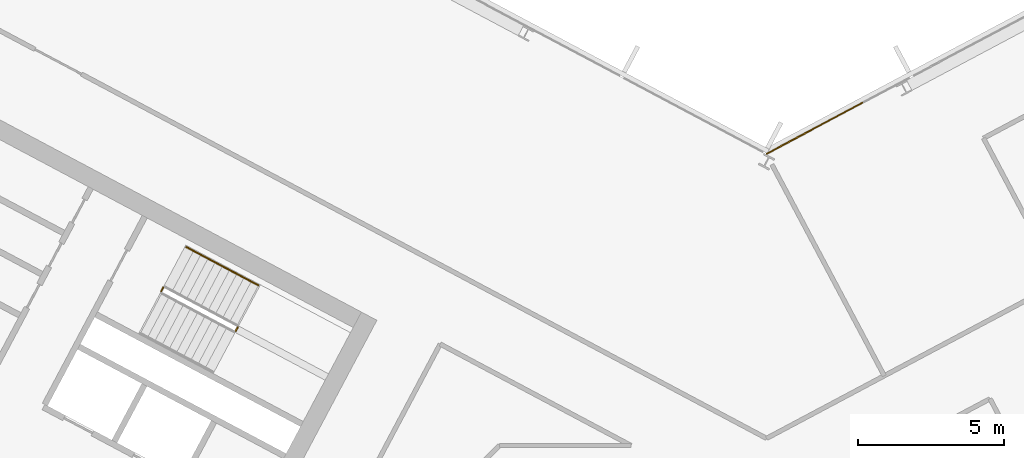
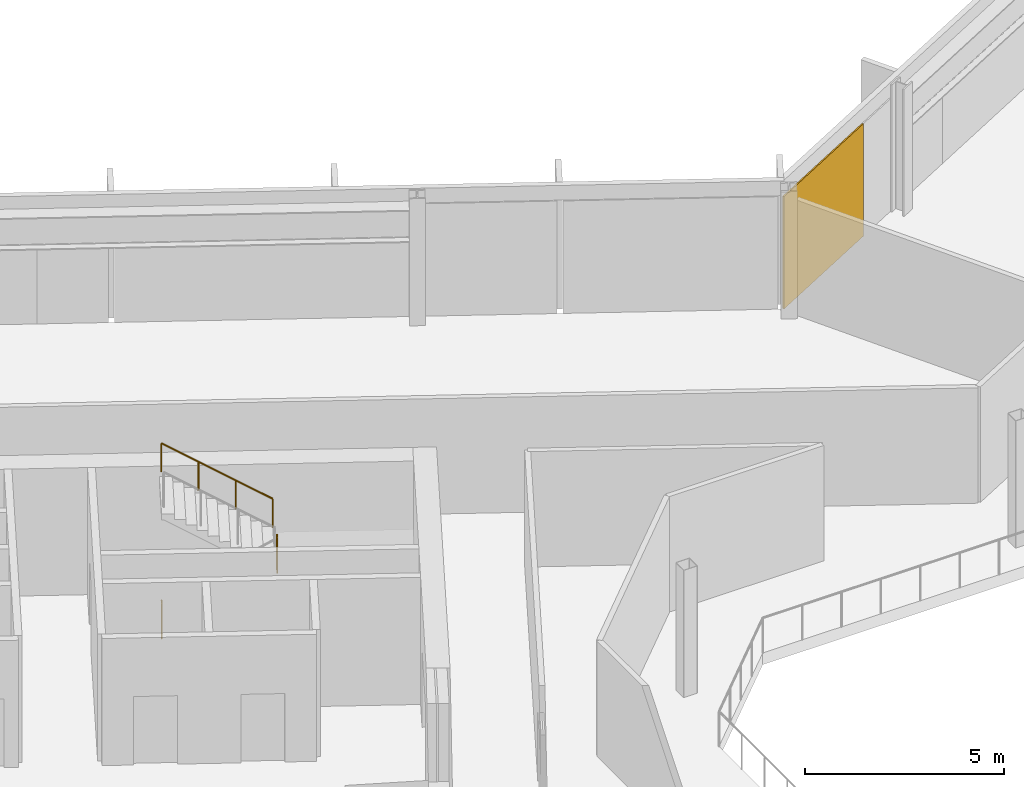
# One storey, part 22 of 26: 3 railings, 1 covering, 1 element without a shape of its own.
"""IFC4 building model written with IfcOpenShell, lengths in metres."""

from ifc_helpers import new_model, si_unit, direction, frame, origin, origin_2d, place, context, subcontext, project, spatial, polyline, rectangle, outline, extrude, material, layer, layer_set, type_object, element, aggregate, save


model = new_model("IFC4")

# Units and contexts
model_context = context("Model", 3, precision=1e-05, world=origin(), true_north=direction((0.0, 1.0)))
body_context = subcontext(model_context, "Body", "Model", "MODEL_VIEW")
ifc_project = project(units=[si_unit("LENGTHUNIT", "METRE"), si_unit("AREAUNIT", "SQUARE_METRE"), si_unit("VOLUMEUNIT", "CUBIC_METRE"), si_unit("PLANEANGLEUNIT", "RADIAN"), si_unit("MASSUNIT", "GRAM", prefix="KILO")], contexts=[model_context])

# Site, building, storey
site_placement = place(None, origin())
site = spatial("IfcSite", under=ifc_project, at=site_placement, CompositionType="ELEMENT")
building_placement = place(site_placement, origin())
building = spatial("IfcBuilding", under=site, at=building_placement, Name="Cormorant Relay Tower", CompositionType="ELEMENT")
storey_placement = place(building_placement, frame((0.0, 0.0, 197.39990234375)))
storey = spatial("IfcBuildingStorey", under=building, at=storey_placement, Name="L42", CompositionType="ELEMENT", Elevation=197.39990234375)

# Curtain wall, covering
ifc_material_1 = material(Name="Aluminium 6063-T6 anodised bronze", Category="aluminium")
ifc_layer_1 = layer(ifc_material_1, 0.199951171875)
ifc_layer_set_1 = layer_set([ifc_layer_1], Name="CW1 unitised bronze curtain wall with vertical fins")
curtain_wall_type = type_object("IfcCurtainWallType", Name="CW1 unitised bronze curtain wall with vertical fins", PredefinedType="NOTDEFINED", material=ifc_layer_set_1)
curtain_wall_placement = place(storey_placement, origin())
curtain_wall = element("IfcCurtainWall", 1, at=curtain_wall_placement, inside=storey, type_object=curtain_wall_type, Name="CW1 curtain wall 8", PredefinedType="NOTDEFINED")
ifc_material_2 = material(Name="Pale bronze anodised aluminium insulated panel", Category="aluminium")
ifc_layer_2 = layer(ifc_material_2, 0.0400390625)
ifc_layer_set_2 = layer_set([ifc_layer_2], Name="CW1 pale bronze insulated panel 40")
covering_type = type_object("IfcCoveringType", Name="CW1 pale bronze insulated panel 40", PredefinedType="CLADDING", material=ifc_layer_set_2)
covering_placement = place(storey_placement, frame((1.65234375, 24.685302734375, 0.0), z_axis=(0.0, 0.0, 1.0), x_axis=(-0.882947592859, -0.469471562786, 0.0)))
covering = element("IfcCovering", 2, at=covering_placement, type_object=covering_type, Name="CW1 panel S08", PredefinedType="CLADDING", context=body_context, shape_type="SweptSolid", body=[
    extrude(rectangle(XDim=3.763916015625, YDim=0.0400390625, at=origin_2d()), origin(), (0.0, 0.0, 1.0), 3.449951171875),
])
aggregate(curtain_wall, [covering])

# Railings
ifc_material_3 = material(Name="Steel ASTM A572 Grade 50 (Fy 345 MPa)", Category="steel")
railing_type_1 = type_object("IfcRailingType", Name="Stair guard 1100", PredefinedType="GUARDRAIL", material=ifc_material_3)
railing_1_placement = place(storey_placement, frame((-18.210693359375, 17.72412109375, 1.9501953125)))
element("IfcRailing", 3, at=railing_1_placement, inside=storey, type_object=railing_type_1, Name="L42 A1 stair guard 2", PredefinedType="GUARDRAIL", context=body_context, shape_type="SweptSolid", body=[
    extrude(outline(polyline([(0.022216796875, 0.00927734375), (0.00927734375, 0.022216796875), (-0.00927734375, 0.022216796875), (-0.022216796875, 0.00927734375), (-0.022216796875, -0.00927734375), (-0.00927734375, -0.022216796875), (0.00927734375, -0.022216796875), (0.022216796875, -0.00927734375), (0.022216796875, 0.00927734375)])), frame((0.0, 0.0, 1.076171875), z_axis=(0.470503732759, 0.882398003998, 0.0), x_axis=(-0.882398003998, 0.470503732759, 0.0)), (0.0, 0.0, 1.0), 0.14990234375),
    extrude(outline(polyline([(0.019287109375, 0.008056640625), (0.008056640625, 0.019287109375), (-0.008056640625, 0.019287109375), (-0.019287109375, 0.008056640625), (-0.019287109375, -0.008056640625), (-0.008056640625, -0.019287109375), (0.008056640625, -0.019287109375), (0.019287109375, -0.008056640625), (0.019287109375, 0.008056640625)])), origin(), (0.0, 0.0, 1.0), 1.052001953125),
    extrude(outline(polyline([(0.019287109375, 0.008056640625), (0.008056640625, 0.019287109375), (-0.008056640625, 0.019287109375), (-0.019287109375, 0.008056640625), (-0.019287109375, -0.008056640625), (-0.008056640625, -0.019287109375), (0.008056640625, -0.019287109375), (0.019287109375, -0.008056640625), (0.019287109375, 0.008056640625)])), frame((0.070556640625, 0.13232421875, 0.0)), (0.0, 0.0, 1.0), 1.052001953125),
])
railing_2_placement = place(storey_placement, frame((-20.771240234375, 19.08544921875, 0.0)))
element("IfcRailing", 4, at=railing_2_placement, inside=storey, type_object=railing_type_1, Name="L42 A1 stair guard 4", PredefinedType="GUARDRAIL", context=body_context, shape_type="SweptSolid", body=[
    extrude(outline(polyline([(0.022216796875, 0.00927734375), (0.00927734375, 0.022216796875), (-0.00927734375, 0.022216796875), (-0.022216796875, 0.00927734375), (-0.022216796875, -0.00927734375), (-0.00927734375, -0.022216796875), (0.00927734375, -0.022216796875), (0.022216796875, -0.00927734375), (0.022216796875, 0.00927734375)])), frame((0.0, 0.0, 1.076171875), z_axis=(0.469828648786, 0.882757634224, 0.0), x_axis=(-0.882757634224, 0.469828648786, 0.0)), (0.0, 0.0, 1.0), 0.150146484375),
    extrude(outline(polyline([(0.019287109375, 0.008056640625), (0.008056640625, 0.019287109375), (-0.008056640625, 0.019287109375), (-0.019287109375, 0.008056640625), (-0.019287109375, -0.008056640625), (-0.008056640625, -0.019287109375), (0.008056640625, -0.019287109375), (0.019287109375, -0.008056640625), (0.019287109375, 0.008056640625)])), origin(), (0.0, 0.0, 1.0), 1.052001953125),
    extrude(outline(polyline([(0.019287109375, 0.008056640625), (0.008056640625, 0.019287109375), (-0.008056640625, 0.019287109375), (-0.019287109375, 0.008056640625), (-0.019287109375, -0.008056640625), (-0.008056640625, -0.019287109375), (0.008056640625, -0.019287109375), (0.019287109375, -0.008056640625), (0.019287109375, 0.008056640625)])), frame((0.070556640625, 0.132568359375, 0.0)), (0.0, 0.0, 1.0), 1.052001953125),
])
ifc_material_4 = material(Name="Steel ASTM A572 Grade 50 (Fy 345 MPa)", Category="steel")
railing_type_2 = type_object("IfcRailingType", Name="Stair handrail 900", PredefinedType="HANDRAIL", material=ifc_material_4)
railing_3_placement = place(storey_placement, frame((-17.433349609375, 19.292724609375, 2.12744140625)))
element("IfcRailing", 5, at=railing_3_placement, inside=storey, type_object=railing_type_2, Name="L42 A1 stair handrail 2", PredefinedType="HANDRAIL", context=body_context, shape_type="SweptSolid", body=[
    extrude(outline(polyline([(0.022216796875, 0.00927734375), (0.00927734375, 0.022216796875), (-0.00927734375, 0.022216796875), (-0.022216796875, 0.00927734375), (-0.022216796875, -0.00927734375), (-0.00927734375, -0.022216796875), (0.00927734375, -0.022216796875), (0.022216796875, -0.00927734375), (0.022216796875, 0.00927734375)])), frame((0.0, 0.0, 0.8759765625), z_axis=(-0.746001213114, 0.396649272309, 0.534931345884), x_axis=(-0.469465464807, -0.882950835185, 0.0)), (0.0, 0.0, 1.0), 3.31396484375),
    extrude(outline(polyline([(0.019287109375, 0.008056640625), (0.008056640625, 0.019287109375), (-0.008056640625, 0.019287109375), (-0.019287109375, 0.008056640625), (-0.019287109375, -0.008056640625), (-0.008056640625, -0.019287109375), (0.008056640625, -0.019287109375), (0.019287109375, -0.008056640625), (0.019287109375, 0.008056640625)])), origin(), (0.0, 0.0, 1.0), 0.851806640625),
    extrude(outline(polyline([(0.019287109375, 0.008056640625), (0.008056640625, 0.019287109375), (-0.008056640625, 0.019287109375), (-0.019287109375, 0.008056640625), (-0.019287109375, -0.008056640625), (-0.008056640625, -0.019287109375), (0.008056640625, -0.019287109375), (0.019287109375, -0.008056640625), (0.019287109375, 0.008056640625)])), frame((-0.823974609375, 0.438232421875, 0.5908203125)), (0.0, 0.0, 1.0), 0.851806640625),
    extrude(outline(polyline([(0.019287109375, 0.008056640625), (0.008056640625, 0.019287109375), (-0.008056640625, 0.019287109375), (-0.019287109375, 0.008056640625), (-0.019287109375, -0.008056640625), (-0.008056640625, -0.019287109375), (0.008056640625, -0.019287109375), (0.019287109375, -0.008056640625), (0.019287109375, 0.008056640625)])), frame((-1.648193359375, 0.876220703125, 1.181884765625)), (0.0, 0.0, 1.0), 0.851806640625),
    extrude(outline(polyline([(0.019287109375, 0.008056640625), (0.008056640625, 0.019287109375), (-0.008056640625, 0.019287109375), (-0.019287109375, 0.008056640625), (-0.019287109375, -0.008056640625), (-0.008056640625, -0.019287109375), (0.008056640625, -0.019287109375), (0.019287109375, -0.008056640625), (0.019287109375, 0.008056640625)])), frame((-2.47216796875, 1.314453125, 1.772705078125)), (0.0, 0.0, 1.0), 0.851806640625),
])

save(model, "model.ifc")
